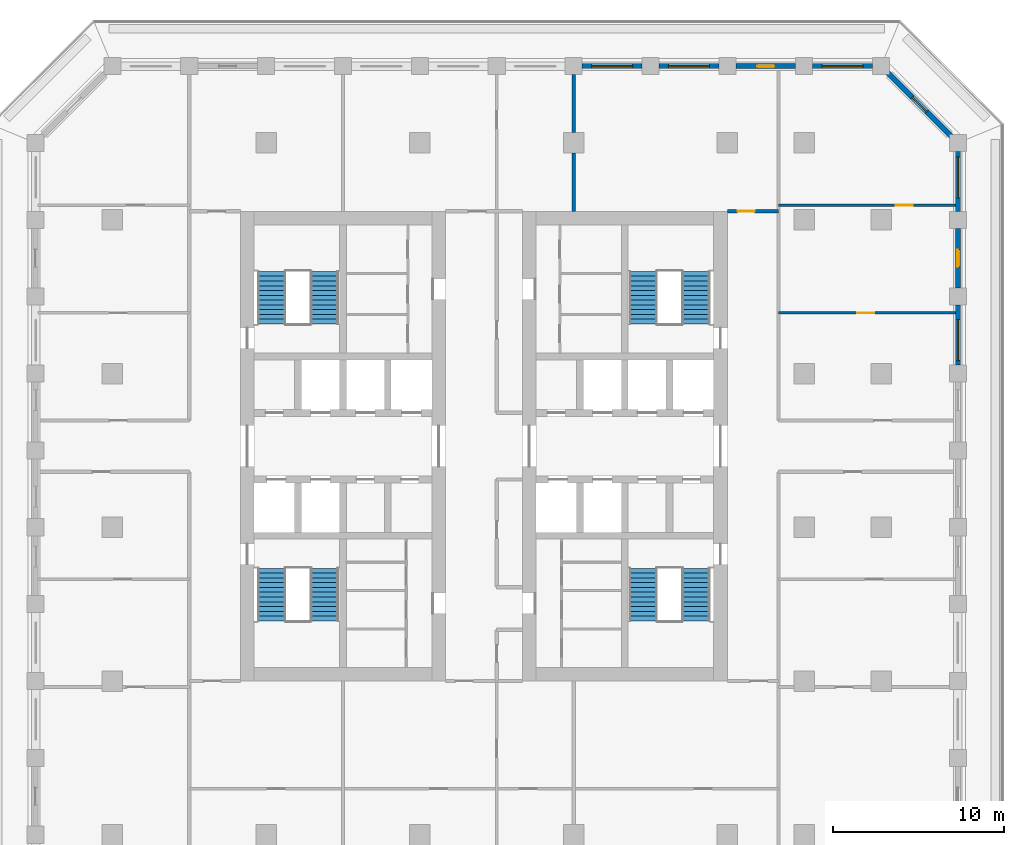
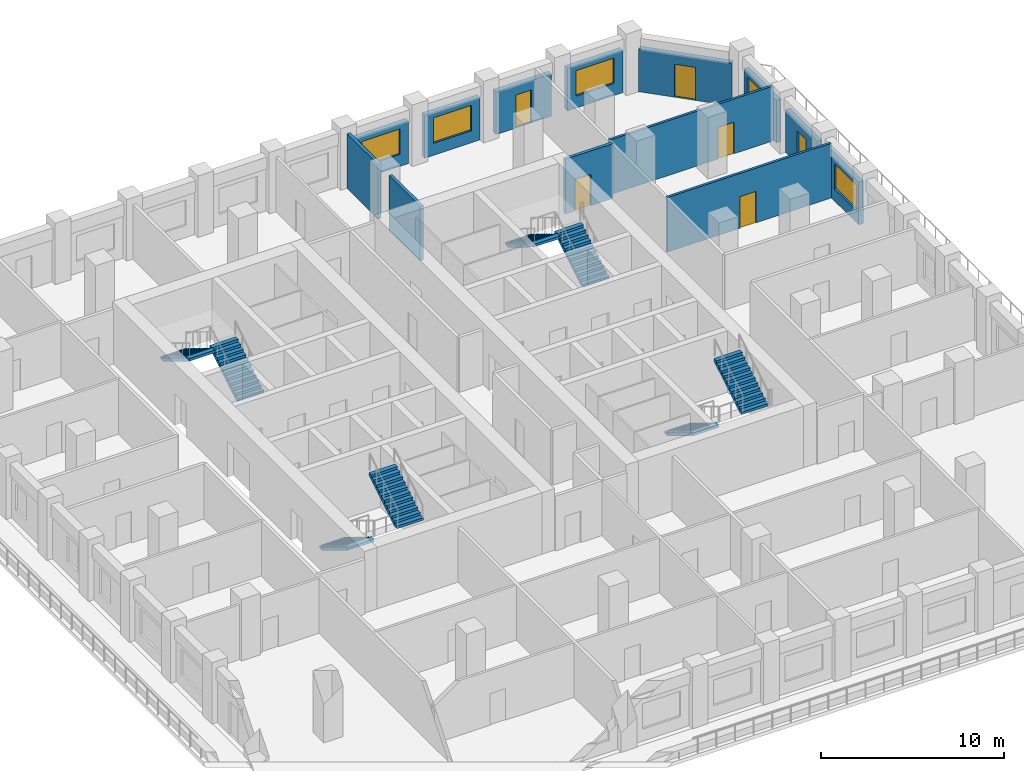
# One storey, part 8 of 16: 13 walls, 8 stair flights, 6 doors, 5 windows, 11 openings, 4 elements without a shape of their own.
"""IFC4 building model written with IfcOpenShell, lengths in metres."""

from ifc_helpers import new_model, si_unit, direction, frame, frame_2d, origin, place, context, subcontext, project, spatial, polyline, rectangle, outline, extrude, material, layer, layer_set, type_object, element, fill, aggregate, save


model = new_model("IFC4")

# Units and contexts
model_context = context("Model", 3, precision=1e-05, world=origin(), true_north=direction((0.0, 1.0)))
body_context = subcontext(model_context, "Body", "Model", "MODEL_VIEW")
ifc_project = project(units=[si_unit("LENGTHUNIT", "METRE"), si_unit("AREAUNIT", "SQUARE_METRE"), si_unit("VOLUMEUNIT", "CUBIC_METRE"), si_unit("PLANEANGLEUNIT", "RADIAN"), si_unit("MASSUNIT", "GRAM", prefix="KILO")], contexts=[model_context])

# Site, building, storey
site_placement = place(None, origin())
site = spatial("IfcSite", under=ifc_project, at=site_placement, CompositionType="ELEMENT")
building_placement = place(site_placement, origin())
building = spatial("IfcBuilding", under=site, at=building_placement, Name="Corbel Stack Research Tower", CompositionType="ELEMENT")
storey_placement = place(building_placement, frame((0.0, 0.0, 212.0)))
storey = spatial("IfcBuildingStorey", under=building, at=storey_placement, Name="L48", CompositionType="ELEMENT", Elevation=212.0)

# Walls
ifc_material_1 = material(Name="Fire-rated gypsum board partition on steel studs", Category="steel")
ifc_layer_1 = layer(ifc_material_1, 0.199951171875)
ifc_layer_set_1 = layer_set([ifc_layer_1], Name="Fire-rated gypsum board partition on steel studs")
wall_type_1 = type_object("IfcWallType", Name="Fire-rated partition 200 EI 60", PredefinedType="PARTITIONING", material=ifc_layer_set_1)
for number, where, z_axis, x_axis, name in (
    (1, (9.0, 18.5, 0.0), (0.0, 0.0, 1.0), (0.0, 1.0, 0.0), "Partition L48-012"),
    (2, (9.0, 23.10009765625, 0.0), (0.0, 0.0, 1.0), (0.0, 1.0, 0.0), "Partition L48-013"),
):
    element("IfcWall", number, at=place(storey_placement, frame(where, z_axis=z_axis, x_axis=x_axis)), inside=storey, type_object=wall_type_1, Name=name, PredefinedType="PARTITIONING", context=body_context, shape_type="SweptSolid", body=[
        extrude(rectangle(XDim=3.39990234375, YDim=0.199951171875, at=frame_2d((1.699951171875, 0.0))), origin(), (0.0, 0.0, 1.0), 3.64990234375),
    ])

# Wall, opening, door
wall_1_placement = place(storey_placement, frame((18.0, 18.5, 0.0), z_axis=(0.0, 0.0, 1.0), x_axis=(1.0, 0.0, 0.0)))
wall_1 = element("IfcWall", 3, at=wall_1_placement, inside=storey, type_object=wall_type_1, Name="Partition L48-040", PredefinedType="PARTITIONING", context=body_context, shape_type="SweptSolid", body=[
    extrude(rectangle(XDim=3.0, YDim=0.199951171875, at=frame_2d((1.5, 0.0))), origin(), (0.0, 0.0, 1.0), 3.64990234375),
])
opening_1_placement = place(wall_1_placement, frame((0.60009765625, 0.0, 0.0)))
opening_1 = element("IfcOpeningElement", 4, at=opening_1_placement, cuts=wall_1, Name="Opening B6V1-029", PredefinedType="OPENING", context=body_context, shape_type="SweptSolid", body=[
    extrude(rectangle(XDim=1.0, YDim=2.10009765625, at=frame_2d((0.5, 1.050048828125))), frame((0.0, 0.10986328125, 0.0), z_axis=(0.0, -1.0, 0.0), x_axis=(1.0, 0.0, 0.0)), (0.0, 0.0, 1.0), 0.219970703125),
])
ifc_material_2 = material(Name="Painted steel fire door", Category="steel")
door_type_1 = type_object("IfcDoorType", Name="Fire door FD30S 1000 x 2100", OperationType="NOTDEFINED", PredefinedType="DOOR", material=ifc_material_2)
door_1_placement = place(opening_1_placement, origin())
door_1 = element("IfcDoor", 5, at=door_1_placement, inside=storey, type_object=door_type_1, Name="Door B6V1-029", OperationType="SINGLE_SWING_LEFT", OverallHeight=2.10009765625, OverallWidth=1.0, PredefinedType="DOOR", context=body_context, shape_type="SweptSolid", body=[
    extrude(rectangle(XDim=1.0, YDim=2.10009765625, at=frame_2d((0.5, 1.050048828125))), frame((0.0, 0.02490234375, 0.0), z_axis=(0.0, -1.0, 0.0), x_axis=(1.0, 0.0, 0.0)), (0.0, 0.0, 1.0), 0.050048828125),
])
fill(opening_1, door_1)

ifc_material_3 = material(Name="Gypsum board partition on steel studs", Category="steel")
ifc_layer_2 = layer(ifc_material_3, 0.14990234375)
ifc_layer_set_2 = layer_set([ifc_layer_2], Name="Gypsum board partition on steel studs")
wall_type_2 = type_object("IfcWallType", Name="Partition 150", PredefinedType="PARTITIONING", material=ifc_layer_set_2)
wall_2_placement = place(storey_placement, frame((21.0, 12.550048828125, 0.0), z_axis=(0.0, 0.0, 1.0), x_axis=(1.0, 0.0, 0.0)))
wall_2 = element("IfcWall", 6, at=wall_2_placement, inside=storey, type_object=wall_type_2, Name="Partition L48-037", PredefinedType="PARTITIONING", context=body_context, shape_type="SweptSolid", body=[
    extrude(rectangle(XDim=10.35009765625, YDim=0.14990234375, at=frame_2d((5.175048828125, 0.0))), origin(), (0.0, 0.0, 1.0), 3.64990234375),
])
opening_2_placement = place(wall_2_placement, frame((4.60009765625, 0.0, 0.0)))
opening_2 = element("IfcOpeningElement", 7, at=opening_2_placement, cuts=wall_2, Name="Opening B6V1-026", PredefinedType="OPENING", context=body_context, shape_type="SweptSolid", body=[
    extrude(rectangle(XDim=1.0, YDim=2.10009765625, at=frame_2d((0.5, 1.050048828125))), frame((0.0, 0.0849609375, 0.0), z_axis=(0.0, -1.0, 0.0), x_axis=(1.0, 0.0, 0.0)), (0.0, 0.0, 1.0), 0.169921875),
])
ifc_material_4 = material(Name="Painted timber door", Category="wood")
door_type_2 = type_object("IfcDoorType", Name="Single door 1000 x 2100", OperationType="NOTDEFINED", PredefinedType="DOOR", material=ifc_material_4)
door_2_placement = place(opening_2_placement, origin())
door_2 = element("IfcDoor", 8, at=door_2_placement, inside=storey, type_object=door_type_2, Name="Door B6V1-026", OperationType="SINGLE_SWING_LEFT", OverallHeight=2.10009765625, OverallWidth=1.0, PredefinedType="DOOR", context=body_context, shape_type="SweptSolid", body=[
    extrude(rectangle(XDim=1.0, YDim=2.10009765625, at=frame_2d((0.5, 1.050048828125))), frame((0.0, 0.02490234375, 0.0), z_axis=(0.0, -1.0, 0.0), x_axis=(1.0, 0.0, 0.0)), (0.0, 0.0, 1.0), 0.050048828125),
])
fill(opening_2, door_2)

wall_3_placement = place(storey_placement, frame((21.0, 18.85009765625, 0.0), z_axis=(0.0, 0.0, 1.0), x_axis=(1.0, 0.0, 0.0)))
wall_3 = element("IfcWall", 9, at=wall_3_placement, inside=storey, type_object=wall_type_2, Name="Partition L48-042", PredefinedType="PARTITIONING", context=body_context, shape_type="SweptSolid", body=[
    extrude(rectangle(XDim=10.35009765625, YDim=0.14990234375, at=frame_2d((5.175048828125, 0.0))), origin(), (0.0, 0.0, 1.0), 3.64990234375),
])
opening_3_placement = place(wall_3_placement, frame((6.85009765625, 0.0, 0.0)))
opening_3 = element("IfcOpeningElement", 10, at=opening_3_placement, cuts=wall_3, Name="Opening B6V1-031", PredefinedType="OPENING", context=body_context, shape_type="SweptSolid", body=[
    extrude(rectangle(XDim=1.0, YDim=2.10009765625, at=frame_2d((0.5, 1.050048828125))), frame((0.0, 0.0849609375, 0.0), z_axis=(0.0, -1.0, 0.0), x_axis=(1.0, 0.0, 0.0)), (0.0, 0.0, 1.0), 0.169921875),
])
door_3_placement = place(opening_3_placement, origin())
door_3 = element("IfcDoor", 11, at=door_3_placement, inside=storey, type_object=door_type_2, Name="Door B6V1-031", OperationType="SINGLE_SWING_RIGHT", OverallHeight=2.10009765625, OverallWidth=1.0, PredefinedType="DOOR", context=body_context, shape_type="SweptSolid", body=[
    extrude(rectangle(XDim=1.0, YDim=2.10009765625, at=frame_2d((0.5, 1.050048828125))), frame((0.0, 0.02490234375, 0.0), z_axis=(0.0, -1.0, 0.0), x_axis=(1.0, 0.0, 0.0)), (0.0, 0.0, 1.0), 0.050048828125),
])
fill(opening_3, door_3)

# Wall, opening, window
ifc_material_5 = material(Name="Concrete C45/55", Category="concrete")
ifc_layer_3 = layer(ifc_material_5, 0.300048828125)
ifc_layer_set_3 = layer_set([ifc_layer_3], Name="Concrete C45/55")
wall_type_3 = type_object("IfcWallType", Name="Terracotta-faced concrete wall 300", PredefinedType="SOLIDWALL", material=ifc_layer_set_3)
wall_4_placement = place(storey_placement, frame((31.5, 13.0, 0.0), z_axis=(0.0, 0.0, 1.0), x_axis=(0.0, -1.0, 0.0)))
wall_4 = element("IfcWall", 12, at=wall_4_placement, inside=storey, type_object=wall_type_3, Name="Facade wall L48 E08", PredefinedType="SOLIDWALL", context=body_context, shape_type="SweptSolid", body=[
    extrude(rectangle(XDim=3.5, YDim=0.300048828125, at=frame_2d((1.75, 0.0))), origin(), (0.0, 0.0, 1.0), 2.85009765625),
])
opening_4_placement = place(wall_4_placement, frame((0.83740234375, 0.0, 0.800048828125)))
opening_4 = element("IfcOpeningElement", 13, at=opening_4_placement, cuts=wall_4, Name="Opening W1", PredefinedType="OPENING", context=body_context, shape_type="SweptSolid", body=[
    extrude(rectangle(XDim=2.39990234375, YDim=1.699951171875, at=frame_2d((1.199951171875, 0.85009765625))), frame((0.0, 0.159912109375, 0.0), z_axis=(0.0, -1.0, 0.0), x_axis=(1.0, 0.0, 0.0)), (0.0, 0.0, 1.0), 0.320068359375),
])
ifc_material_6 = material(Name="Aluminium frame, clear double glazing", Category="aluminium")
window_type = type_object("IfcWindowType", Name="Window W1 2400 x 1700", PartitioningType="SINGLE_PANEL", PredefinedType="WINDOW", material=ifc_material_6)
window_1_placement = place(opening_4_placement, origin())
window_1 = element("IfcWindow", 14, at=window_1_placement, inside=storey, type_object=window_type, Name="Window W1 L48 E08", OverallHeight=1.699951171875, OverallWidth=2.39990234375, PartitioningType="SINGLE_PANEL", PredefinedType="WINDOW", context=body_context, shape_type="SweptSolid", body=[
    extrude(rectangle(XDim=2.39990234375, YDim=1.699951171875, at=frame_2d((1.199951171875, 0.85009765625))), frame((0.0, 0.030029296875, 0.0), z_axis=(0.0, -1.0, 0.0), x_axis=(1.0, 0.0, 0.0)), (0.0, 0.0, 1.0), 0.06005859375),
])
fill(opening_4, window_1)

# Wall, opening, door
wall_5_placement = place(storey_placement, frame((31.5, 17.5, 0.0), z_axis=(0.0, 0.0, 1.0), x_axis=(0.0, -1.0, 0.0)))
wall_5 = element("IfcWall", 15, at=wall_5_placement, inside=storey, type_object=wall_type_3, Name="Facade wall L48 E09", PredefinedType="SOLIDWALL", context=body_context, shape_type="SweptSolid", body=[
    extrude(rectangle(XDim=3.5, YDim=0.300048828125, at=frame_2d((1.75, 0.0))), origin(), (0.0, 0.0, 1.0), 2.85009765625),
])
opening_5_placement = place(wall_5_placement, frame((1.25, 0.0, 0.0)))
opening_5 = element("IfcOpeningElement", 16, at=opening_5_placement, cuts=wall_5, Name="Opening L48-B05", PredefinedType="OPENING", context=body_context, shape_type="SweptSolid", body=[
    extrude(rectangle(XDim=1.0, YDim=2.199951171875, at=frame_2d((0.5, 1.10009765625))), frame((0.0, 0.159912109375, 0.0), z_axis=(0.0, -1.0, 0.0), x_axis=(1.0, 0.0, 0.0)), (0.0, 0.0, 1.0), 0.320068359375),
])
ifc_material_7 = material(Name="Aluminium frame, clear double glazing", Category="aluminium")
door_type_3 = type_object("IfcDoorType", Name="Balcony door BD1 1000 x 2200", OperationType="NOTDEFINED", PredefinedType="DOOR", material=ifc_material_7)
door_4_placement = place(opening_5_placement, origin())
door_4 = element("IfcDoor", 17, at=door_4_placement, inside=storey, type_object=door_type_3, Name="Balcony door L48-B05", OperationType="SINGLE_SWING_LEFT", OverallHeight=2.199951171875, OverallWidth=1.0, PredefinedType="DOOR", context=body_context, shape_type="SweptSolid", body=[
    extrude(rectangle(XDim=1.0, YDim=2.199951171875, at=frame_2d((0.5, 1.10009765625))), frame((0.0, 0.02490234375, 0.0), z_axis=(0.0, -1.0, 0.0), x_axis=(1.0, 0.0, 0.0)), (0.0, 0.0, 1.0), 0.050048828125),
])
fill(opening_5, door_4)

# Wall, opening, window
wall_6_placement = place(storey_placement, frame((31.5, 22.0, 0.0), z_axis=(0.0, 0.0, 1.0), x_axis=(0.0, -1.0, 0.0)))
wall_6 = element("IfcWall", 18, at=wall_6_placement, inside=storey, type_object=wall_type_3, Name="Facade wall L48 E10", PredefinedType="SOLIDWALL", context=body_context, shape_type="SweptSolid", body=[
    extrude(rectangle(XDim=3.5, YDim=0.300048828125, at=frame_2d((1.75, 0.0))), origin(), (0.0, 0.0, 1.0), 2.85009765625),
])
opening_6_placement = place(wall_6_placement, frame((0.3125, 0.0, 0.800048828125)))
opening_6 = element("IfcOpeningElement", 19, at=opening_6_placement, cuts=wall_6, Name="Opening W1", PredefinedType="OPENING", context=body_context, shape_type="SweptSolid", body=[
    extrude(rectangle(XDim=2.39990234375, YDim=1.699951171875, at=frame_2d((1.199951171875, 0.85009765625))), frame((0.0, 0.159912109375, 0.0), z_axis=(0.0, -1.0, 0.0), x_axis=(1.0, 0.0, 0.0)), (0.0, 0.0, 1.0), 0.320068359375),
])
window_2_placement = place(opening_6_placement, origin())
window_2 = element("IfcWindow", 20, at=window_2_placement, inside=storey, type_object=window_type, Name="Window W1 L48 E10", OverallHeight=1.699951171875, OverallWidth=2.39990234375, PartitioningType="SINGLE_PANEL", PredefinedType="WINDOW", context=body_context, shape_type="SweptSolid", body=[
    extrude(rectangle(XDim=2.39990234375, YDim=1.699951171875, at=frame_2d((1.199951171875, 0.85009765625))), frame((0.0, 0.030029296875, 0.0), z_axis=(0.0, -1.0, 0.0), x_axis=(1.0, 0.0, 0.0)), (0.0, 0.0, 1.0), 0.06005859375),
])
fill(opening_6, window_2)

# Wall, opening, door
wall_7_placement = place(storey_placement, frame((27.393798828125, 26.606201171875, 0.0), z_axis=(0.0, 0.0, 1.0), x_axis=(0.707106781187, -0.707106781187, 0.0)))
wall_7 = element("IfcWall", 21, at=wall_7_placement, inside=storey, type_object=wall_type_3, Name="Facade wall L48 NE01", PredefinedType="SOLIDWALL", context=body_context, shape_type="SweptSolid", body=[
    extrude(rectangle(XDim=5.250244140625, YDim=0.300048828125, at=frame_2d((2.625, 0.0))), origin(), (0.0, 0.0, 1.0), 2.85009765625),
])
opening_7_placement = place(wall_7_placement, frame((2.02490234375, 0.0, 0.0)))
opening_7 = element("IfcOpeningElement", 22, at=opening_7_placement, cuts=wall_7, Name="Opening L48-B06", PredefinedType="OPENING", context=body_context, shape_type="SweptSolid", body=[
    extrude(rectangle(XDim=1.199951171875, YDim=2.199951171875, at=frame_2d((0.60009765625, 1.10009765625))), frame((0.0, 0.159912109375, 0.0), z_axis=(0.0, -1.0, 0.0), x_axis=(1.0, 0.0, 0.0)), (0.0, 0.0, 1.0), 0.320068359375),
])
ifc_material_8 = material(Name="Aluminium frame, clear double glazing", Category="aluminium")
door_type_4 = type_object("IfcDoorType", Name="Balcony door BD2 1200 x 2200", OperationType="NOTDEFINED", PredefinedType="DOOR", material=ifc_material_8)
door_5_placement = place(opening_7_placement, origin())
door_5 = element("IfcDoor", 23, at=door_5_placement, inside=storey, type_object=door_type_4, Name="Balcony door L48-B06", OperationType="SINGLE_SWING_LEFT", OverallHeight=2.199951171875, OverallWidth=1.199951171875, PredefinedType="DOOR", context=body_context, shape_type="SweptSolid", body=[
    extrude(rectangle(XDim=1.199951171875, YDim=2.199951171875, at=frame_2d((0.60009765625, 1.10009765625))), frame((0.0, 0.02490234375, 0.0), z_axis=(0.0, -1.0, 0.0), x_axis=(1.0, 0.0, 0.0)), (0.0, 0.0, 1.0), 0.050048828125),
])
fill(opening_7, door_5)

# Wall, opening, window
wall_8_placement = place(storey_placement, frame((23.0, 27.0, 0.0), z_axis=(0.0, 0.0, 1.0), x_axis=(1.0, 0.0, 0.0)))
wall_8 = element("IfcWall", 24, at=wall_8_placement, inside=storey, type_object=wall_type_3, Name="Facade wall L48 N01", PredefinedType="SOLIDWALL", context=body_context, shape_type="SweptSolid", body=[
    extrude(rectangle(XDim=3.5, YDim=0.300048828125, at=frame_2d((1.75, 0.0))), origin(), (0.0, 0.0, 1.0), 2.85009765625),
])
opening_8_placement = place(wall_8_placement, frame((0.550048828125, 0.0, 0.800048828125)))
opening_8 = element("IfcOpeningElement", 25, at=opening_8_placement, cuts=wall_8, Name="Opening W1", PredefinedType="OPENING", context=body_context, shape_type="SweptSolid", body=[
    extrude(rectangle(XDim=2.39990234375, YDim=1.699951171875, at=frame_2d((1.199951171875, 0.85009765625))), frame((0.0, 0.159912109375, 0.0), z_axis=(0.0, -1.0, 0.0), x_axis=(1.0, 0.0, 0.0)), (0.0, 0.0, 1.0), 0.320068359375),
])
window_3_placement = place(opening_8_placement, origin())
window_3 = element("IfcWindow", 26, at=window_3_placement, inside=storey, type_object=window_type, Name="Window W1 L48 N01", OverallHeight=1.699951171875, OverallWidth=2.39990234375, PartitioningType="SINGLE_PANEL", PredefinedType="WINDOW", context=body_context, shape_type="SweptSolid", body=[
    extrude(rectangle(XDim=2.39990234375, YDim=1.699951171875, at=frame_2d((1.199951171875, 0.85009765625))), frame((0.0, 0.030029296875, 0.0), z_axis=(0.0, -1.0, 0.0), x_axis=(1.0, 0.0, 0.0)), (0.0, 0.0, 1.0), 0.06005859375),
])
fill(opening_8, window_3)

# Wall, opening, door
wall_9_placement = place(storey_placement, frame((18.5, 27.0, 0.0), z_axis=(0.0, 0.0, 1.0), x_axis=(1.0, 0.0, 0.0)))
wall_9 = element("IfcWall", 27, at=wall_9_placement, inside=storey, type_object=wall_type_3, Name="Facade wall L48 N02", PredefinedType="SOLIDWALL", context=body_context, shape_type="SweptSolid", body=[
    extrude(rectangle(XDim=3.5, YDim=0.300048828125, at=frame_2d((1.75, 0.0))), origin(), (0.0, 0.0, 1.0), 2.85009765625),
])
opening_9_placement = place(wall_9_placement, frame((1.25, 0.0, 0.0)))
opening_9 = element("IfcOpeningElement", 28, at=opening_9_placement, cuts=wall_9, Name="Opening L48-B07", PredefinedType="OPENING", context=body_context, shape_type="SweptSolid", body=[
    extrude(rectangle(XDim=1.0, YDim=2.199951171875, at=frame_2d((0.5, 1.10009765625))), frame((0.0, 0.159912109375, 0.0), z_axis=(0.0, -1.0, 0.0), x_axis=(1.0, 0.0, 0.0)), (0.0, 0.0, 1.0), 0.320068359375),
])
door_6_placement = place(opening_9_placement, origin())
door_6 = element("IfcDoor", 29, at=door_6_placement, inside=storey, type_object=door_type_3, Name="Balcony door L48-B07", OperationType="SINGLE_SWING_RIGHT", OverallHeight=2.199951171875, OverallWidth=1.0, PredefinedType="DOOR", context=body_context, shape_type="SweptSolid", body=[
    extrude(rectangle(XDim=1.0, YDim=2.199951171875, at=frame_2d((0.5, 1.10009765625))), frame((0.0, 0.02490234375, 0.0), z_axis=(0.0, -1.0, 0.0), x_axis=(1.0, 0.0, 0.0)), (0.0, 0.0, 1.0), 0.050048828125),
])
fill(opening_9, door_6)

# Wall, opening, window
wall_10_placement = place(storey_placement, frame((14.0, 27.0, 0.0), z_axis=(0.0, 0.0, 1.0), x_axis=(1.0, 0.0, 0.0)))
wall_10 = element("IfcWall", 30, at=wall_10_placement, inside=storey, type_object=wall_type_3, Name="Facade wall L48 N03", PredefinedType="SOLIDWALL", context=body_context, shape_type="SweptSolid", body=[
    extrude(rectangle(XDim=3.5, YDim=0.300048828125, at=frame_2d((1.75, 0.0))), origin(), (0.0, 0.0, 1.0), 2.85009765625),
])
opening_10_placement = place(wall_10_placement, frame((0.550048828125, 0.0, 0.800048828125)))
opening_10 = element("IfcOpeningElement", 31, at=opening_10_placement, cuts=wall_10, Name="Opening W1", PredefinedType="OPENING", context=body_context, shape_type="SweptSolid", body=[
    extrude(rectangle(XDim=2.39990234375, YDim=1.699951171875, at=frame_2d((1.199951171875, 0.85009765625))), frame((0.0, 0.159912109375, 0.0), z_axis=(0.0, -1.0, 0.0), x_axis=(1.0, 0.0, 0.0)), (0.0, 0.0, 1.0), 0.320068359375),
])
window_4_placement = place(opening_10_placement, origin())
window_4 = element("IfcWindow", 32, at=window_4_placement, inside=storey, type_object=window_type, Name="Window W1 L48 N03", OverallHeight=1.699951171875, OverallWidth=2.39990234375, PartitioningType="SINGLE_PANEL", PredefinedType="WINDOW", context=body_context, shape_type="SweptSolid", body=[
    extrude(rectangle(XDim=2.39990234375, YDim=1.699951171875, at=frame_2d((1.199951171875, 0.85009765625))), frame((0.0, 0.030029296875, 0.0), z_axis=(0.0, -1.0, 0.0), x_axis=(1.0, 0.0, 0.0)), (0.0, 0.0, 1.0), 0.06005859375),
])
fill(opening_10, window_4)

wall_11_placement = place(storey_placement, frame((9.5, 27.0, 0.0), z_axis=(0.0, 0.0, 1.0), x_axis=(1.0, 0.0, 0.0)))
wall_11 = element("IfcWall", 33, at=wall_11_placement, inside=storey, type_object=wall_type_3, Name="Facade wall L48 N04", PredefinedType="SOLIDWALL", context=body_context, shape_type="SweptSolid", body=[
    extrude(rectangle(XDim=3.5, YDim=0.300048828125, at=frame_2d((1.75, 0.0))), origin(), (0.0, 0.0, 1.0), 2.85009765625),
])
opening_11_placement = place(wall_11_placement, frame((0.550048828125, 0.0, 0.800048828125)))
opening_11 = element("IfcOpeningElement", 34, at=opening_11_placement, cuts=wall_11, Name="Opening W1", PredefinedType="OPENING", context=body_context, shape_type="SweptSolid", body=[
    extrude(rectangle(XDim=2.39990234375, YDim=1.699951171875, at=frame_2d((1.199951171875, 0.85009765625))), frame((0.0, 0.159912109375, 0.0), z_axis=(0.0, -1.0, 0.0), x_axis=(1.0, 0.0, 0.0)), (0.0, 0.0, 1.0), 0.320068359375),
])
window_5_placement = place(opening_11_placement, origin())
window_5 = element("IfcWindow", 35, at=window_5_placement, inside=storey, type_object=window_type, Name="Window W1 L48 N04", OverallHeight=1.699951171875, OverallWidth=2.39990234375, PartitioningType="SINGLE_PANEL", PredefinedType="WINDOW", context=body_context, shape_type="SweptSolid", body=[
    extrude(rectangle(XDim=2.39990234375, YDim=1.699951171875, at=frame_2d((1.199951171875, 0.85009765625))), frame((0.0, 0.030029296875, 0.0), z_axis=(0.0, -1.0, 0.0), x_axis=(1.0, 0.0, 0.0)), (0.0, 0.0, 1.0), 0.06005859375),
])
fill(opening_11, window_5)

# Stair, stair flights
ifc_material_9 = material(Name="Concrete C40/50", Category="concrete")
stair_type = type_object("IfcStairType", Name="Exit stair 24 risers", PredefinedType="HALF_TURN_STAIR", material=ifc_material_9)
stair_1_placement = place(storey_placement, origin())
stair_1 = element("IfcStair", 36, at=stair_1_placement, inside=storey, type_object=stair_type, Name="L48 Exit stair ST-W1", PredefinedType="HALF_TURN_STAIR")
ifc_material_10 = material(Name="Concrete C40/50", Category="concrete")
stair_flight_type = type_object("IfcStairFlightType", Name="Stair flight 12 risers", PredefinedType="STRAIGHT", material=ifc_material_10)
stair_flight_1_placement = place(storey_placement, frame((-8.675048828125, -2.39990234375, 0.0), z_axis=(0.0, 0.0, 1.0), x_axis=(0.0, -1.0, 0.0)))
stair_flight_1 = element("IfcStairFlight", 37, at=stair_flight_1_placement, type_object=stair_flight_type, Name="ST-W1 flight 1", NumberOfRisers=12, NumberOfTreads=11, PredefinedType="STRAIGHT", RiserHeight=0.170833333, TreadLength=0.28, context=body_context, shape_type="SweptSolid", body=[
    extrude(outline(polyline([(0.0, 0.0), (0.0, 0.1708984375), (0.280029296875, 0.1708984375), (0.280029296875, 0.341552734375), (0.56005859375, 0.341552734375), (0.56005859375, 0.512451171875), (0.840087890625, 0.512451171875), (0.840087890625, 0.683349609375), (1.1201171875, 0.683349609375), (1.1201171875, 0.854248046875), (1.39990234375, 0.854248046875), (1.39990234375, 1.02490234375), (1.679931640625, 1.02490234375), (1.679931640625, 1.19580078125), (1.9599609375, 1.19580078125), (1.9599609375, 1.36669921875), (2.239990234375, 1.36669921875), (2.239990234375, 1.53759765625), (2.52001953125, 1.53759765625), (2.52001953125, 1.708251953125), (2.800048828125, 1.708251953125), (2.800048828125, 1.879150390625), (3.080078125, 1.879150390625), (3.080078125, 2.050048828125), (3.080078125, 1.70361328125), (0.287841796875, 0.0), (0.0, 0.0)])), frame((0.0, 0.824951171875, 0.0), z_axis=(0.0, -1.0, 0.0), x_axis=(1.0, 0.0, 0.0)), (0.0, 0.0, 1.0), 1.64990234375),
])
stair_flight_2_placement = place(storey_placement, frame((-5.574951171875, -5.47998046875, 2.050048828125), z_axis=(0.0, 0.0, 1.0), x_axis=(0.0, 1.0, 0.0)))
stair_flight_2 = element("IfcStairFlight", 38, at=stair_flight_2_placement, type_object=stair_flight_type, Name="ST-W1 flight 2", NumberOfRisers=12, NumberOfTreads=11, PredefinedType="STRAIGHT", RiserHeight=0.170833333, TreadLength=0.28, context=body_context, shape_type="SweptSolid", body=[
    extrude(outline(polyline([(0.0, 0.0), (0.0, 0.1708984375), (0.280029296875, 0.1708984375), (0.280029296875, 0.341552734375), (0.56005859375, 0.341552734375), (0.56005859375, 0.512451171875), (0.840087890625, 0.512451171875), (0.840087890625, 0.683349609375), (1.1201171875, 0.683349609375), (1.1201171875, 0.854248046875), (1.39990234375, 0.854248046875), (1.39990234375, 1.02490234375), (1.679931640625, 1.02490234375), (1.679931640625, 1.19580078125), (1.9599609375, 1.19580078125), (1.9599609375, 1.36669921875), (2.239990234375, 1.36669921875), (2.239990234375, 1.53759765625), (2.52001953125, 1.53759765625), (2.52001953125, 1.708251953125), (2.800048828125, 1.708251953125), (2.800048828125, 1.879150390625), (3.080078125, 1.879150390625), (3.080078125, 2.050048828125), (3.080078125, 1.70361328125), (0.287841796875, 0.0), (0.0, 0.0)])), frame((0.0, 0.824951171875, 0.0), z_axis=(0.0, -1.0, 0.0), x_axis=(1.0, 0.0, 0.0)), (0.0, 0.0, 1.0), 1.64990234375),
])
aggregate(stair_1, [stair_flight_1, stair_flight_2])

stair_2_placement = place(storey_placement, origin())
stair_2 = element("IfcStair", 39, at=stair_2_placement, inside=storey, type_object=stair_type, Name="L48 Exit stair ST-W2", PredefinedType="HALF_TURN_STAIR")
stair_flight_3_placement = place(storey_placement, frame((-5.574951171875, 11.89990234375, 0.0), z_axis=(0.0, 0.0, 1.0), x_axis=(0.0, 1.0, 0.0)))
stair_flight_3 = element("IfcStairFlight", 40, at=stair_flight_3_placement, type_object=stair_flight_type, Name="ST-W2 flight 1", NumberOfRisers=12, NumberOfTreads=11, PredefinedType="STRAIGHT", RiserHeight=0.170833333, TreadLength=0.28, context=body_context, shape_type="SweptSolid", body=[
    extrude(outline(polyline([(0.0, 0.0), (0.0, 0.1708984375), (0.280029296875, 0.1708984375), (0.280029296875, 0.341552734375), (0.56005859375, 0.341552734375), (0.56005859375, 0.512451171875), (0.840087890625, 0.512451171875), (0.840087890625, 0.683349609375), (1.1201171875, 0.683349609375), (1.1201171875, 0.854248046875), (1.39990234375, 0.854248046875), (1.39990234375, 1.02490234375), (1.679931640625, 1.02490234375), (1.679931640625, 1.19580078125), (1.9599609375, 1.19580078125), (1.9599609375, 1.36669921875), (2.239990234375, 1.36669921875), (2.239990234375, 1.53759765625), (2.52001953125, 1.53759765625), (2.52001953125, 1.708251953125), (2.800048828125, 1.708251953125), (2.800048828125, 1.879150390625), (3.080078125, 1.879150390625), (3.080078125, 2.050048828125), (3.080078125, 1.70361328125), (0.287841796875, 0.0), (0.0, 0.0)])), frame((0.0, 0.824951171875, 0.0), z_axis=(0.0, -1.0, 0.0), x_axis=(1.0, 0.0, 0.0)), (0.0, 0.0, 1.0), 1.64990234375),
])
stair_flight_4_placement = place(storey_placement, frame((-8.675048828125, 14.97998046875, 2.050048828125), z_axis=(0.0, 0.0, 1.0), x_axis=(0.0, -1.0, 0.0)))
stair_flight_4 = element("IfcStairFlight", 41, at=stair_flight_4_placement, type_object=stair_flight_type, Name="ST-W2 flight 2", NumberOfRisers=12, NumberOfTreads=11, PredefinedType="STRAIGHT", RiserHeight=0.170833333, TreadLength=0.28, context=body_context, shape_type="SweptSolid", body=[
    extrude(outline(polyline([(0.0, 0.0), (0.0, 0.1708984375), (0.280029296875, 0.1708984375), (0.280029296875, 0.341552734375), (0.56005859375, 0.341552734375), (0.56005859375, 0.512451171875), (0.840087890625, 0.512451171875), (0.840087890625, 0.683349609375), (1.1201171875, 0.683349609375), (1.1201171875, 0.854248046875), (1.39990234375, 0.854248046875), (1.39990234375, 1.02490234375), (1.679931640625, 1.02490234375), (1.679931640625, 1.19580078125), (1.9599609375, 1.19580078125), (1.9599609375, 1.36669921875), (2.239990234375, 1.36669921875), (2.239990234375, 1.53759765625), (2.52001953125, 1.53759765625), (2.52001953125, 1.708251953125), (2.800048828125, 1.708251953125), (2.800048828125, 1.879150390625), (3.080078125, 1.879150390625), (3.080078125, 2.050048828125), (3.080078125, 1.70361328125), (0.287841796875, 0.0), (0.0, 0.0)])), frame((0.0, 0.824951171875, 0.0), z_axis=(0.0, -1.0, 0.0), x_axis=(1.0, 0.0, 0.0)), (0.0, 0.0, 1.0), 1.64990234375),
])
aggregate(stair_2, [stair_flight_3, stair_flight_4])

stair_3_placement = place(storey_placement, origin())
stair_3 = element("IfcStair", 42, at=stair_3_placement, inside=storey, type_object=stair_type, Name="L48 Exit stair ST-E1", PredefinedType="HALF_TURN_STAIR")
stair_flight_5_placement = place(storey_placement, frame((13.074951171875, -2.39990234375, 0.0), z_axis=(0.0, 0.0, 1.0), x_axis=(0.0, -1.0, 0.0)))
stair_flight_5 = element("IfcStairFlight", 43, at=stair_flight_5_placement, type_object=stair_flight_type, Name="ST-E1 flight 1", NumberOfRisers=12, NumberOfTreads=11, PredefinedType="STRAIGHT", RiserHeight=0.170833333, TreadLength=0.28, context=body_context, shape_type="SweptSolid", body=[
    extrude(outline(polyline([(0.0, 0.0), (0.0, 0.1708984375), (0.280029296875, 0.1708984375), (0.280029296875, 0.341552734375), (0.56005859375, 0.341552734375), (0.56005859375, 0.512451171875), (0.840087890625, 0.512451171875), (0.840087890625, 0.683349609375), (1.1201171875, 0.683349609375), (1.1201171875, 0.854248046875), (1.39990234375, 0.854248046875), (1.39990234375, 1.02490234375), (1.679931640625, 1.02490234375), (1.679931640625, 1.19580078125), (1.9599609375, 1.19580078125), (1.9599609375, 1.36669921875), (2.239990234375, 1.36669921875), (2.239990234375, 1.53759765625), (2.52001953125, 1.53759765625), (2.52001953125, 1.708251953125), (2.800048828125, 1.708251953125), (2.800048828125, 1.879150390625), (3.080078125, 1.879150390625), (3.080078125, 2.050048828125), (3.080078125, 1.70361328125), (0.287841796875, 0.0), (0.0, 0.0)])), frame((0.0, 0.824951171875, 0.0), z_axis=(0.0, -1.0, 0.0), x_axis=(1.0, 0.0, 0.0)), (0.0, 0.0, 1.0), 1.64990234375),
])
stair_flight_6_placement = place(storey_placement, frame((16.175048828125, -5.47998046875, 2.050048828125), z_axis=(0.0, 0.0, 1.0), x_axis=(0.0, 1.0, 0.0)))
stair_flight_6 = element("IfcStairFlight", 44, at=stair_flight_6_placement, type_object=stair_flight_type, Name="ST-E1 flight 2", NumberOfRisers=12, NumberOfTreads=11, PredefinedType="STRAIGHT", RiserHeight=0.170833333, TreadLength=0.28, context=body_context, shape_type="SweptSolid", body=[
    extrude(outline(polyline([(0.0, 0.0), (0.0, 0.1708984375), (0.280029296875, 0.1708984375), (0.280029296875, 0.341552734375), (0.56005859375, 0.341552734375), (0.56005859375, 0.512451171875), (0.840087890625, 0.512451171875), (0.840087890625, 0.683349609375), (1.1201171875, 0.683349609375), (1.1201171875, 0.854248046875), (1.39990234375, 0.854248046875), (1.39990234375, 1.02490234375), (1.679931640625, 1.02490234375), (1.679931640625, 1.19580078125), (1.9599609375, 1.19580078125), (1.9599609375, 1.36669921875), (2.239990234375, 1.36669921875), (2.239990234375, 1.53759765625), (2.52001953125, 1.53759765625), (2.52001953125, 1.708251953125), (2.800048828125, 1.708251953125), (2.800048828125, 1.879150390625), (3.080078125, 1.879150390625), (3.080078125, 2.050048828125), (3.080078125, 1.70361328125), (0.287841796875, 0.0), (0.0, 0.0)])), frame((0.0, 0.824951171875, 0.0), z_axis=(0.0, -1.0, 0.0), x_axis=(1.0, 0.0, 0.0)), (0.0, 0.0, 1.0), 1.64990234375),
])
aggregate(stair_3, [stair_flight_5, stair_flight_6])

stair_4_placement = place(storey_placement, origin())
stair_4 = element("IfcStair", 45, at=stair_4_placement, inside=storey, type_object=stair_type, Name="L48 Exit stair ST-E2", PredefinedType="HALF_TURN_STAIR")
stair_flight_7_placement = place(storey_placement, frame((16.175048828125, 11.89990234375, 0.0), z_axis=(0.0, 0.0, 1.0), x_axis=(0.0, 1.0, 0.0)))
stair_flight_7 = element("IfcStairFlight", 46, at=stair_flight_7_placement, type_object=stair_flight_type, Name="ST-E2 flight 1", NumberOfRisers=12, NumberOfTreads=11, PredefinedType="STRAIGHT", RiserHeight=0.170833333, TreadLength=0.28, context=body_context, shape_type="SweptSolid", body=[
    extrude(outline(polyline([(0.0, 0.0), (0.0, 0.1708984375), (0.280029296875, 0.1708984375), (0.280029296875, 0.341552734375), (0.56005859375, 0.341552734375), (0.56005859375, 0.512451171875), (0.840087890625, 0.512451171875), (0.840087890625, 0.683349609375), (1.1201171875, 0.683349609375), (1.1201171875, 0.854248046875), (1.39990234375, 0.854248046875), (1.39990234375, 1.02490234375), (1.679931640625, 1.02490234375), (1.679931640625, 1.19580078125), (1.9599609375, 1.19580078125), (1.9599609375, 1.36669921875), (2.239990234375, 1.36669921875), (2.239990234375, 1.53759765625), (2.52001953125, 1.53759765625), (2.52001953125, 1.708251953125), (2.800048828125, 1.708251953125), (2.800048828125, 1.879150390625), (3.080078125, 1.879150390625), (3.080078125, 2.050048828125), (3.080078125, 1.70361328125), (0.287841796875, 0.0), (0.0, 0.0)])), frame((0.0, 0.824951171875, 0.0), z_axis=(0.0, -1.0, 0.0), x_axis=(1.0, 0.0, 0.0)), (0.0, 0.0, 1.0), 1.64990234375),
])
stair_flight_8_placement = place(storey_placement, frame((13.074951171875, 14.97998046875, 2.050048828125), z_axis=(0.0, 0.0, 1.0), x_axis=(0.0, -1.0, 0.0)))
stair_flight_8 = element("IfcStairFlight", 47, at=stair_flight_8_placement, type_object=stair_flight_type, Name="ST-E2 flight 2", NumberOfRisers=12, NumberOfTreads=11, PredefinedType="STRAIGHT", RiserHeight=0.170833333, TreadLength=0.28, context=body_context, shape_type="SweptSolid", body=[
    extrude(outline(polyline([(0.0, 0.0), (0.0, 0.1708984375), (0.280029296875, 0.1708984375), (0.280029296875, 0.341552734375), (0.56005859375, 0.341552734375), (0.56005859375, 0.512451171875), (0.840087890625, 0.512451171875), (0.840087890625, 0.683349609375), (1.1201171875, 0.683349609375), (1.1201171875, 0.854248046875), (1.39990234375, 0.854248046875), (1.39990234375, 1.02490234375), (1.679931640625, 1.02490234375), (1.679931640625, 1.19580078125), (1.9599609375, 1.19580078125), (1.9599609375, 1.36669921875), (2.239990234375, 1.36669921875), (2.239990234375, 1.53759765625), (2.52001953125, 1.53759765625), (2.52001953125, 1.708251953125), (2.800048828125, 1.708251953125), (2.800048828125, 1.879150390625), (3.080078125, 1.879150390625), (3.080078125, 2.050048828125), (3.080078125, 1.70361328125), (0.287841796875, 0.0), (0.0, 0.0)])), frame((0.0, 0.824951171875, 0.0), z_axis=(0.0, -1.0, 0.0), x_axis=(1.0, 0.0, 0.0)), (0.0, 0.0, 1.0), 1.64990234375),
])
aggregate(stair_4, [stair_flight_7, stair_flight_8])

save(model, "model.ifc")
